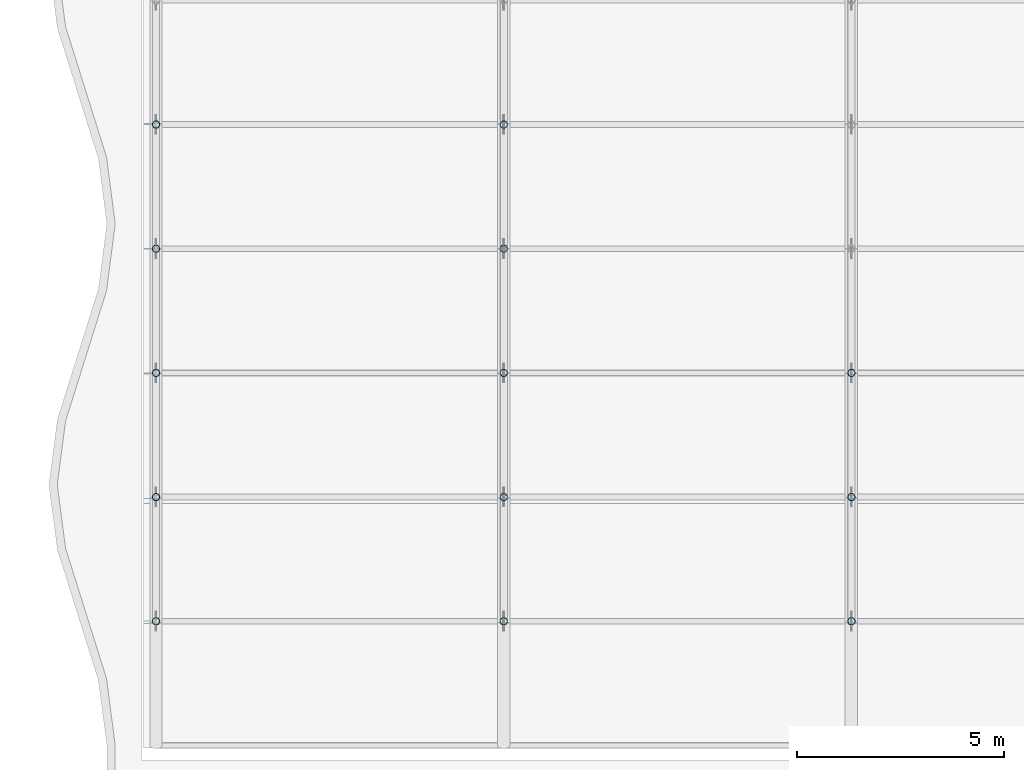
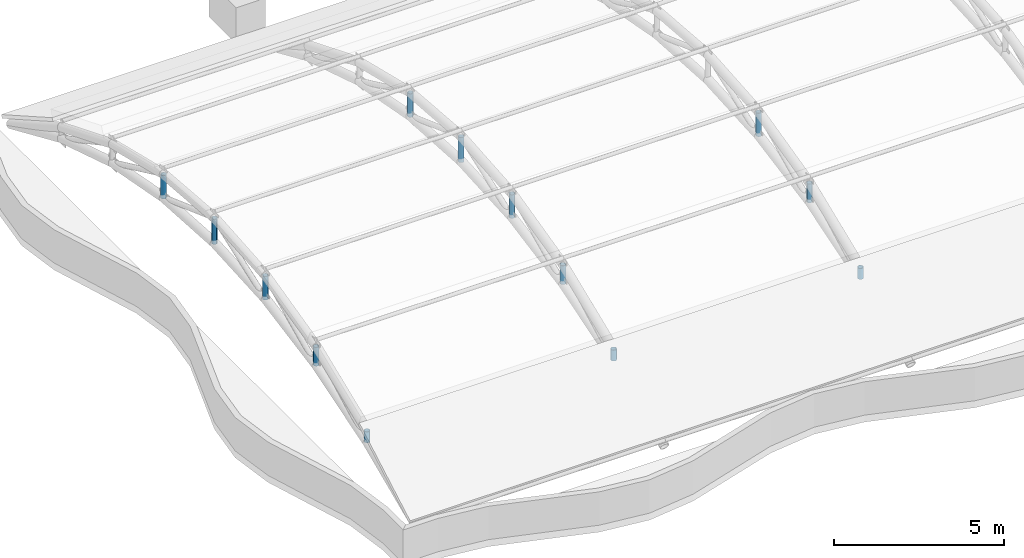
# One storey, part 65 of 163: 13 members.
"""IFC4 building model written with IfcOpenShell, lengths in metres."""

from ifc_helpers import new_model, si_unit, direction, frame, origin, origin_2d, place, context, subcontext, project, spatial, hollow_circle, extrude, material, material_profile, profile_set, type_object, element, save


model = new_model("IFC4")

# Units and contexts
model_context = context("Model", 3, precision=1e-05, world=origin(), true_north=direction((0.0, 1.0)))
body_context = subcontext(model_context, "Body", "Model", "MODEL_VIEW")
ifc_project = project(units=[si_unit("LENGTHUNIT", "METRE"), si_unit("AREAUNIT", "SQUARE_METRE"), si_unit("VOLUMEUNIT", "CUBIC_METRE"), si_unit("PLANEANGLEUNIT", "RADIAN"), si_unit("MASSUNIT", "GRAM", prefix="KILO")], contexts=[model_context])

# Site, building, storey
site_placement = place(None, origin())
site = spatial("IfcSite", under=ifc_project, at=site_placement, CompositionType="ELEMENT")
building_placement = place(site_placement, origin())
building = spatial("IfcBuilding", under=site, at=building_placement, Name="Rain Tree Exposition and Congress Centre", CompositionType="ELEMENT")
storey_placement = place(building_placement, frame((0.0, 0.0, 10.5)))
storey = spatial("IfcBuildingStorey", under=building, at=storey_placement, Name="L02", CompositionType="ELEMENT", Elevation=10.5)

# Members
ifc_material = material(Name="Steel S355J2H", Category="steel")
ifc_material_profile = material_profile(ifc_material, hollow_circle(Radius=0.090087890625, WallThickness=0.008056640625, at=origin_2d()), Name="CHS 180x8")
ifc_profile_set = profile_set([ifc_material_profile], Name="Steel S355J2H")
member_type = type_object("IfcMemberType", Name="Steel post member CHS 180x8", PredefinedType="POST", material=ifc_profile_set)
member_1_placement = place(storey_placement, frame((0.0, 78.60009765625, 1.4423828125), z_axis=(0.0, 0.0, 1.0), x_axis=(1.0, 0.0, 0.0)))
element("IfcMember", 1, at=member_1_placement, inside=storey, type_object=member_type, Name="Roof truss 1 post 1", PredefinedType="POST", context=body_context, shape_type="SweptSolid", body=[
    extrude(hollow_circle(Radius=0.090087890625, WallThickness=0.008056640625, at=origin_2d()), origin(), (0.0, 0.0, 1.0), 0.393798828125),
])
member_2_placement = place(storey_placement, frame((0.0, 81.60009765625, 2.3798828125), z_axis=(0.0, 0.0, 1.0), x_axis=(1.0, 0.0, 0.0)))
element("IfcMember", 2, at=member_2_placement, inside=storey, type_object=member_type, Name="Roof truss 1 post 2", PredefinedType="POST", context=body_context, shape_type="SweptSolid", body=[
    extrude(hollow_circle(Radius=0.090087890625, WallThickness=0.008056640625, at=origin_2d()), origin(), (0.0, 0.0, 1.0), 0.675048828125),
])
member_3_placement = place(storey_placement, frame((0.0, 84.60009765625, 2.9423828125), z_axis=(0.0, 0.0, 1.0), x_axis=(1.0, 0.0, 0.0)))
element("IfcMember", 3, at=member_3_placement, inside=storey, type_object=member_type, Name="Roof truss 1 post 3", PredefinedType="POST", context=body_context, shape_type="SweptSolid", body=[
    extrude(hollow_circle(Radius=0.090087890625, WallThickness=0.008056640625, at=origin_2d()), origin(), (0.0, 0.0, 1.0), 0.843994140625),
])
member_4_placement = place(storey_placement, frame((0.0, 87.60009765625, 3.1298828125), z_axis=(0.0, 0.0, 1.0), x_axis=(1.0, 0.0, 0.0)))
element("IfcMember", 4, at=member_4_placement, inside=storey, type_object=member_type, Name="Roof truss 1 post 4", PredefinedType="POST", context=body_context, shape_type="SweptSolid", body=[
    extrude(hollow_circle(Radius=0.090087890625, WallThickness=0.008056640625, at=origin_2d()), origin(), (0.0, 0.0, 1.0), 0.900146484375),
])
member_5_placement = place(storey_placement, frame((0.0, 90.60009765625, 2.9423828125), z_axis=(0.0, 0.0, 1.0), x_axis=(1.0, 0.0, 0.0)))
element("IfcMember", 5, at=member_5_placement, inside=storey, type_object=member_type, Name="Roof truss 1 post 5", PredefinedType="POST", context=body_context, shape_type="SweptSolid", body=[
    extrude(hollow_circle(Radius=0.090087890625, WallThickness=0.008056640625, at=origin_2d()), origin(), (0.0, 0.0, 1.0), 0.843994140625),
])
member_6_placement = place(storey_placement, frame((8.39990234375, 78.60009765625, 1.4423828125), z_axis=(0.0, 0.0, 1.0), x_axis=(1.0, 0.0, 0.0)))
element("IfcMember", 6, at=member_6_placement, inside=storey, type_object=member_type, Name="Roof truss 2 post 1", PredefinedType="POST", context=body_context, shape_type="SweptSolid", body=[
    extrude(hollow_circle(Radius=0.090087890625, WallThickness=0.008056640625, at=origin_2d()), origin(), (0.0, 0.0, 1.0), 0.393798828125),
])
member_7_placement = place(storey_placement, frame((8.39990234375, 81.60009765625, 2.3798828125), z_axis=(0.0, 0.0, 1.0), x_axis=(1.0, 0.0, 0.0)))
element("IfcMember", 7, at=member_7_placement, inside=storey, type_object=member_type, Name="Roof truss 2 post 2", PredefinedType="POST", context=body_context, shape_type="SweptSolid", body=[
    extrude(hollow_circle(Radius=0.090087890625, WallThickness=0.008056640625, at=origin_2d()), origin(), (0.0, 0.0, 1.0), 0.675048828125),
])
member_8_placement = place(storey_placement, frame((8.39990234375, 84.60009765625, 2.9423828125), z_axis=(0.0, 0.0, 1.0), x_axis=(1.0, 0.0, 0.0)))
element("IfcMember", 8, at=member_8_placement, inside=storey, type_object=member_type, Name="Roof truss 2 post 3", PredefinedType="POST", context=body_context, shape_type="SweptSolid", body=[
    extrude(hollow_circle(Radius=0.090087890625, WallThickness=0.008056640625, at=origin_2d()), origin(), (0.0, 0.0, 1.0), 0.843994140625),
])
member_9_placement = place(storey_placement, frame((8.39990234375, 87.60009765625, 3.1298828125), z_axis=(0.0, 0.0, 1.0), x_axis=(1.0, 0.0, 0.0)))
element("IfcMember", 9, at=member_9_placement, inside=storey, type_object=member_type, Name="Roof truss 2 post 4", PredefinedType="POST", context=body_context, shape_type="SweptSolid", body=[
    extrude(hollow_circle(Radius=0.090087890625, WallThickness=0.008056640625, at=origin_2d()), origin(), (0.0, 0.0, 1.0), 0.900146484375),
])
member_10_placement = place(storey_placement, frame((8.39990234375, 90.60009765625, 2.9423828125), z_axis=(0.0, 0.0, 1.0), x_axis=(1.0, 0.0, 0.0)))
element("IfcMember", 10, at=member_10_placement, inside=storey, type_object=member_type, Name="Roof truss 2 post 5", PredefinedType="POST", context=body_context, shape_type="SweptSolid", body=[
    extrude(hollow_circle(Radius=0.090087890625, WallThickness=0.008056640625, at=origin_2d()), origin(), (0.0, 0.0, 1.0), 0.843994140625),
])
member_11_placement = place(storey_placement, frame((16.800048828125, 78.60009765625, 1.4423828125), z_axis=(0.0, 0.0, 1.0), x_axis=(1.0, 0.0, 0.0)))
element("IfcMember", 11, at=member_11_placement, inside=storey, type_object=member_type, Name="Roof truss 3 post 1", PredefinedType="POST", context=body_context, shape_type="SweptSolid", body=[
    extrude(hollow_circle(Radius=0.090087890625, WallThickness=0.008056640625, at=origin_2d()), origin(), (0.0, 0.0, 1.0), 0.393798828125),
])
member_12_placement = place(storey_placement, frame((16.800048828125, 81.60009765625, 2.3798828125), z_axis=(0.0, 0.0, 1.0), x_axis=(1.0, 0.0, 0.0)))
element("IfcMember", 12, at=member_12_placement, inside=storey, type_object=member_type, Name="Roof truss 3 post 2", PredefinedType="POST", context=body_context, shape_type="SweptSolid", body=[
    extrude(hollow_circle(Radius=0.090087890625, WallThickness=0.008056640625, at=origin_2d()), origin(), (0.0, 0.0, 1.0), 0.675048828125),
])
member_13_placement = place(storey_placement, frame((16.800048828125, 84.60009765625, 2.9423828125), z_axis=(0.0, 0.0, 1.0), x_axis=(1.0, 0.0, 0.0)))
element("IfcMember", 13, at=member_13_placement, inside=storey, type_object=member_type, Name="Roof truss 3 post 3", PredefinedType="POST", context=body_context, shape_type="SweptSolid", body=[
    extrude(hollow_circle(Radius=0.090087890625, WallThickness=0.008056640625, at=origin_2d()), origin(), (0.0, 0.0, 1.0), 0.843994140625),
])

save(model, "model.ifc")
